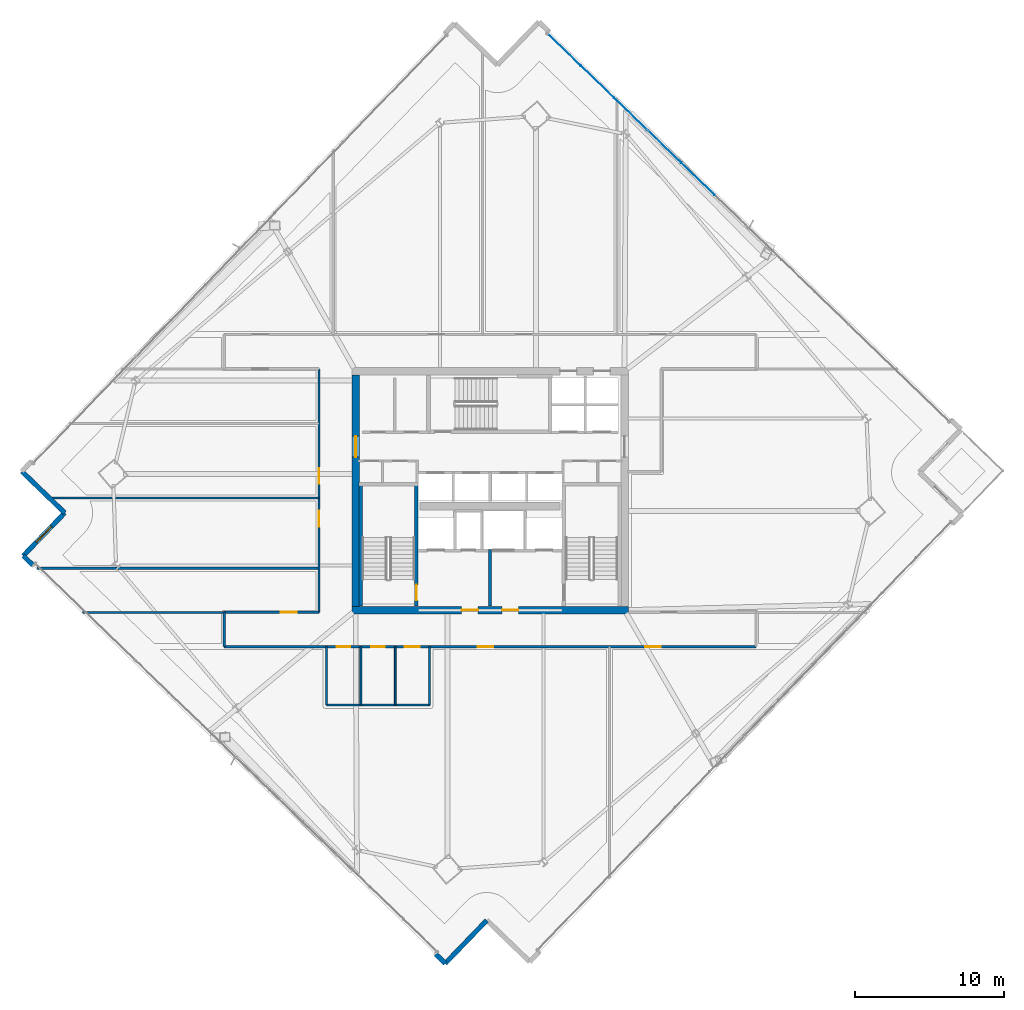
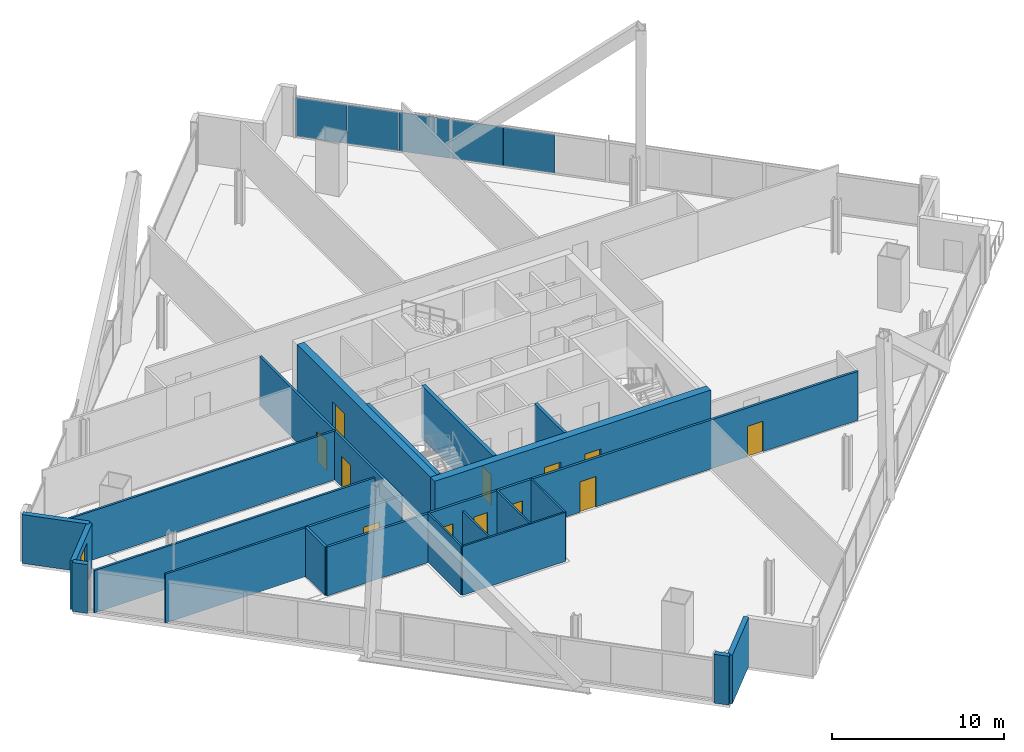
# One storey, part 25 of 33: 22 walls, 12 doors, 5 plates, 1 window, 13 openings, 1 element without a shape of its own.
"""IFC4 building model written with IfcOpenShell, lengths in metres."""

import ifcopenshell
import ifcopenshell.guid

model = None  # the IFC model being written
_history = None  # IfcOwnerHistory: only IFC2X3 demands one
_inside = {}  # id of a spatial element -> (the spatial element, [elements in it])
_under = {}  # id of a project, library or spatial element -> (it, [spatial elements below it])
_declared = {}  # id of a project -> (the project, [libraries it declares])
_typed = {}  # id of a type object -> (the type object, [elements of that type])
_made_of = {}  # id of a material, layer set ... -> (it, [elements and type objects made of it])


def new_model(schema):
    """Start an empty IFC model of exactly this schema.

    Asked for "IFC4X3", IfcOpenShell would pick the latest addendum, in which some entities
    have other attributes; the version numbers below select the first issue.
    IFC2X3 requires an IfcOwnerHistory on every rooted entity: one is made here for all.
    """
    global model, _history
    if schema == "IFC4X3":
        model = ifcopenshell.file(schema_version=(4, 3, 0, 0))
    else:
        model = ifcopenshell.file(schema=schema)
    _inside.clear()
    _under.clear()
    _declared.clear()
    _typed.clear()
    _made_of.clear()
    _history = None
    if model.schema == "IFC2X3":
        org = make("IfcOrganization", Name="unknown")
        user = make(
            "IfcPersonAndOrganization",
            ThePerson=make("IfcPerson", FamilyName="unknown"),
            TheOrganization=org,
        )
        app = make(
            "IfcApplication",
            ApplicationDeveloper=org,
            Version="unknown",
            ApplicationFullName="unknown",
            ApplicationIdentifier="unknown",
        )
        _history = make(
            "IfcOwnerHistory",
            OwningUser=user,
            OwningApplication=app,
            ChangeAction="ADDED",
            CreationDate=0,
        )
    return model


def make(cls, **values):
    """One entity of the class cls with the attributes given. An attribute that is None is left unset."""
    return model.create_entity(
        cls, **{name: value for name, value in values.items() if value is not None}
    )


def rooted(cls, **values):
    """An entity with a GlobalId (a new one), such as an element, a storey or a relation."""
    return make(cls, GlobalId=ifcopenshell.guid.new(), OwnerHistory=_history, **values)


def si_unit(unit_type, name, prefix=None):
    """IfcSIUnit, for example si_unit("LENGTHUNIT", "METRE", prefix="MILLI")."""
    return make("IfcSIUnit", UnitType=unit_type, Prefix=prefix, Name=name)


def assignment(units):
    """IfcUnitAssignment: the units of a project."""
    return None if units is None else make("IfcUnitAssignment", Units=units)


def point(xyz):
    """IfcCartesianPoint."""
    return None if xyz is None else make("IfcCartesianPoint", Coordinates=xyz)


def direction(xyz):
    """IfcDirection."""
    return None if xyz is None else make("IfcDirection", DirectionRatios=xyz)


def frame(location, z_axis=None, x_axis=None):
    """IfcAxis2Placement3D, a coordinate frame: its origin and axes. An axis left out is left unset."""
    return make(
        "IfcAxis2Placement3D",
        Location=point(location),
        Axis=direction(z_axis),
        RefDirection=direction(x_axis),
    )


def frame_2d(location, x_axis=None):
    """IfcAxis2Placement2D, a coordinate frame in the plane: its origin and x axis."""
    return make(
        "IfcAxis2Placement2D", Location=point(location), RefDirection=direction(x_axis)
    )


def origin():
    """The frame at (0, 0, 0) with its axes left unset."""
    return frame((0.0, 0.0, 0.0))


def origin_2d():
    """The frame at (0, 0) in the plane with its x axis left unset."""
    return frame_2d((0.0, 0.0))


def place(relative_to, where):
    """IfcLocalPlacement: puts the frame where relative to a parent placement (None: the world)."""
    return make(
        "IfcLocalPlacement", PlacementRelTo=relative_to, RelativePlacement=where
    )


def context(
    kind, dimensions, precision=None, world=None, true_north=None, identifier=None
):
    """IfcGeometricRepresentationContext, for example the 3D "Model" context."""
    return make(
        "IfcGeometricRepresentationContext",
        ContextIdentifier=identifier,
        ContextType=kind,
        CoordinateSpaceDimension=dimensions,
        Precision=precision,
        WorldCoordinateSystem=world,
        TrueNorth=true_north,
    )


def subcontext(parent, identifier, kind, view, scale=None):
    """IfcGeometricRepresentationSubContext, for example "Body" below "Model"."""
    return make(
        "IfcGeometricRepresentationSubContext",
        ContextIdentifier=identifier,
        ContextType=kind,
        ParentContext=parent,
        TargetScale=scale,
        TargetView=view,
    )


def project(units=None, contexts=None):
    """IfcProject with its units and contexts."""
    return rooted(
        "IfcProject",
        Name="project",
        RepresentationContexts=contexts,
        UnitsInContext=assignment(units),
    )


def spatial(cls, under=None, at=None, **own):
    """A site, building, storey or space (cls), placed at a placement, below another one or the project."""
    s = rooted(cls, ObjectPlacement=at, **own)
    if under is not None:
        _under.setdefault(under.id(), (under, []))[1].append(s)
    return s


def profile(cls, at=None, kind="AREA", **sizes):
    """A parametric profile (cls). Its sizes go by their IFC names, for example OverallWidth=200.0."""
    return make(cls, ProfileType=kind, Position=at, **sizes)


def rectangle(**sizes):
    """IfcRectangleProfileDef."""
    return profile("IfcRectangleProfileDef", **sizes)


def extrude(swept, where, along, depth):
    """IfcExtrudedAreaSolid: the profile swept, set in the frame where, extruded along a direction by depth."""
    return make(
        "IfcExtrudedAreaSolid",
        SweptArea=swept,
        Position=where,
        ExtrudedDirection=direction(along),
        Depth=depth,
    )


def shape(context_of_items, identifier, shape_type, items):
    """IfcShapeRepresentation: the items that make up one representation, for example the "Body"."""
    return make(
        "IfcShapeRepresentation",
        ContextOfItems=context_of_items,
        RepresentationIdentifier=identifier,
        RepresentationType=shape_type,
        Items=items,
    )


def source(mapping_origin, context_of_items, identifier, shape_type, items):
    """IfcRepresentationMap: a shape defined once, which mapped items show again and again."""
    return make(
        "IfcRepresentationMap",
        MappingOrigin=mapping_origin,
        MappedRepresentation=shape(context_of_items, identifier, shape_type, items),
    )


def transform(
    local_origin,
    x_axis=None,
    y_axis=None,
    z_axis=None,
    scale=None,
    scale2=None,
    scale3=None,
    uniform=True,
):
    """IfcCartesianTransformationOperator3D, or its non-uniform kind. x_axis, y_axis, z_axis: its Axis1, 2, 3."""
    if uniform:
        return make(
            "IfcCartesianTransformationOperator3D",
            Axis1=direction(x_axis),
            Axis2=direction(y_axis),
            LocalOrigin=point(local_origin),
            Scale=scale,
            Axis3=direction(z_axis),
        )
    return make(
        "IfcCartesianTransformationOperator3DnonUniform",
        Axis1=direction(x_axis),
        Axis2=direction(y_axis),
        LocalOrigin=point(local_origin),
        Scale=scale,
        Axis3=direction(z_axis),
        Scale2=scale2,
        Scale3=scale3,
    )


def mapped(mapping_source, mapping_target):
    """IfcMappedItem: shows the shape of a source again, moved by a transform."""
    return make(
        "IfcMappedItem", MappingSource=mapping_source, MappingTarget=mapping_target
    )


def material(Name=None, Category=None):
    """IfcMaterial."""
    return make("IfcMaterial", Name=Name, Category=Category)


def layer(
    of_material, thickness, ventilated=None, Name=None, Category=None, Priority=None
):
    """IfcMaterialLayer: one layer of a wall or slab, of a material (None: an air gap)."""
    return make(
        "IfcMaterialLayer",
        Material=of_material,
        LayerThickness=thickness,
        IsVentilated=ventilated,
        Name=Name,
        Category=Category,
        Priority=Priority,
    )


def layer_set(layers, Name=None):
    """IfcMaterialLayerSet."""
    return make("IfcMaterialLayerSet", MaterialLayers=layers, LayerSetName=Name)


def made_of(thing, what):
    """Note that an element or type object is made of a material, layer set ...; save() writes the relation."""
    if what is not None:
        _made_of.setdefault(what.id(), (what, []))[1].append(thing)
    return thing


def type_object(cls, material=None, **own):
    """A type object (cls), such as IfcWallType, which elements share."""
    return made_of(rooted(cls, **own), material)


def element(
    cls,
    number,
    at=None,
    inside=None,
    cuts=None,
    type_object=None,
    material=None,
    context=None,
    identifier="Body",
    shape_type=None,
    held_by="IfcProductDefinitionShape",
    body=None,
    shapes=None,
    **own,
):
    """One element of the class cls, such as IfcWall. Its Tag is "e" and its number.

    at: its placement. inside: the storey or other place that contains it. cuts: it is an
    opening in that element (IfcRelVoidsElement). A single representation is given by context,
    identifier, shape_type and body (its items); several are given by shapes. held_by: the class
    of the entity that holds the representations. save() writes the other relations.
    """
    e = rooted(cls, Tag="e%d" % number, ObjectPlacement=at, **own)
    if body is not None:
        shapes = [shape(context, identifier, shape_type, body)]
    if shapes is not None:
        e.Representation = make(held_by, Representations=shapes)
    if inside is not None:
        _inside.setdefault(inside.id(), (inside, []))[1].append(e)
    if cuts is not None:
        rooted(
            "IfcRelVoidsElement", RelatingBuildingElement=cuts, RelatedOpeningElement=e
        )
    if type_object is not None:
        _typed.setdefault(type_object.id(), (type_object, []))[1].append(e)
    return made_of(e, material)


def fill(opening, filler):
    """IfcRelFillsElement: the door or window that sits in an opening."""
    return rooted(
        "IfcRelFillsElement",
        RelatingOpeningElement=opening,
        RelatedBuildingElement=filler,
    )


def aggregate(whole, parts):
    """IfcRelAggregates: a whole, such as a stair, and the parts it consists of."""
    return rooted("IfcRelAggregates", RelatingObject=whole, RelatedObjects=parts)


def save(model, path):
    """Write the relations noted so far, then the file.

    IfcRelAggregates (storeys below a building ...), IfcRelContainedInSpatialStructure (elements
    in a storey), IfcRelDefinesByType, IfcRelAssociatesMaterial and IfcRelDeclares: one each for
    every whole, place, type object, material and project.
    """
    for whole, parts in _under.values():
        aggregate(whole, parts)
    for where, things in _inside.values():
        rooted(
            "IfcRelContainedInSpatialStructure",
            RelatedElements=things,
            RelatingStructure=where,
        )
    for kind, things in _typed.values():
        rooted("IfcRelDefinesByType", RelatedObjects=things, RelatingType=kind)
    for what, things in _made_of.values():
        rooted("IfcRelAssociatesMaterial", RelatedObjects=things, RelatingMaterial=what)
    for by, libraries in _declared.values():
        rooted("IfcRelDeclares", RelatingContext=by, RelatedDefinitions=libraries)
    model.write(path)


model = new_model("IFC4")

# Units and contexts
model_context = context("Model", 3, precision=1e-05, world=origin(), true_north=direction((0.0, 1.0)))
body_context = subcontext(model_context, "Body", "Model", "MODEL_VIEW")
ifc_project = project(units=[si_unit("LENGTHUNIT", "METRE"), si_unit("AREAUNIT", "SQUARE_METRE"), si_unit("VOLUMEUNIT", "CUBIC_METRE"), si_unit("PLANEANGLEUNIT", "RADIAN"), si_unit("MASSUNIT", "GRAM", prefix="KILO")], contexts=[model_context])

# Site, building, storey
site_placement = place(None, origin())
site = spatial("IfcSite", under=ifc_project, at=site_placement, CompositionType="ELEMENT")
building_placement = place(site_placement, origin())
building = spatial("IfcBuilding", under=site, at=building_placement, Name="Haldenkirk Collegiate Tower", CompositionType="ELEMENT")
storey_placement = place(building_placement, frame((0.0, 0.0, 181.949951171875)))
storey = spatial("IfcBuildingStorey", under=building, at=storey_placement, Name="L45", CompositionType="ELEMENT", Elevation=181.949951171875)

# Curtain wall, plates
ifc_material_1 = material(Name="Anodised architectural bronze aluminium", Category="aluminium")
curtain_wall_type = type_object("IfcCurtainWallType", Name="CW-SYS1-CONVEX-LOW", PredefinedType="USERDEFINED", material=ifc_material_1)
curtain_wall_placement = place(storey_placement, origin())
curtain_wall = element("IfcCurtainWall", 1, at=curtain_wall_placement, inside=storey, type_object=curtain_wall_type, Name="L45 Lower tower convex bronze-framed unitised curtain wall", ObjectType="UNITISED CURTAIN WALL", PredefinedType="USERDEFINED")
ifc_material_2 = material(Name="Bronze-anodised insulated aluminium spandrel panel", Category="aluminium")
ifc_layer_1 = layer(ifc_material_2, 0.0439453125)
ifc_layer_set_1 = layer_set([ifc_layer_1], Name="Bronze-anodised insulated aluminium spandrel panel")
plate_type_1 = type_object("IfcPlateType", Name="CW-SPD-1A", PredefinedType="CURTAIN_PANEL", material=ifc_layer_set_1)
shared_shape_1 = source(origin(), body_context, "Body", "SweptSolid", [
    extrude(rectangle(XDim=3.083740234375, YDim=0.0439453125, at=origin_2d()), origin(), (0.0, 0.0, 1.0), 2.7509765625),
])
plate_1_placement = place(storey_placement, frame((47.670654296875, 49.025146484375, 0.080078125), z_axis=(0.0, 0.0, 1.0), x_axis=(0.719340627176, -0.694657514243, 0.0)))
plate_1 = element("IfcPlate", 2, at=plate_1_placement, type_object=plate_type_1, Name="CW-1A spandrel panel 2.1a", PredefinedType="CURTAIN_PANEL", context=body_context, shape_type="MappedRepresentation", body=[
    mapped(shared_shape_1, transform((0.0, 0.0, 0.0), x_axis=(1.0, 0.0, 0.0), y_axis=(0.0, 1.0, 0.0), z_axis=(0.0, 0.0, 1.0), scale=1.0)),
])
ifc_material_3 = material(Name="Low-E argon triple insulating glass", Category="glass")
ifc_layer_2 = layer(ifc_material_3, 0.0439453125)
ifc_layer_set_2 = layer_set([ifc_layer_2], Name="Low-E argon triple insulating glass")
plate_type_2 = type_object("IfcPlateType", Name="CW-PNL-1A", PredefinedType="CURTAIN_PANEL", material=ifc_layer_set_2)
shared_shape_2 = source(origin(), body_context, "Body", "SweptSolid", [
    extrude(rectangle(XDim=3.0712890625, YDim=0.0439453125, at=origin_2d()), origin(), (0.0, 0.0, 1.0), 2.7509765625),
])
plate_2_placement = place(storey_placement, frame((49.902587890625, 46.869873046875, 0.080078125), z_axis=(0.0, 0.0, 1.0), x_axis=(0.719340627176, -0.694657514243, 0.0)))
plate_2 = element("IfcPlate", 3, at=plate_2_placement, type_object=plate_type_2, Name="CW-1A panel 2.1b", PredefinedType="CURTAIN_PANEL", context=body_context, shape_type="MappedRepresentation", body=[
    mapped(shared_shape_2, transform((0.0, 0.0, 0.0), x_axis=(1.0, 0.0, 0.0), y_axis=(0.0, 1.0, 0.0), z_axis=(0.0, 0.0, 1.0), scale=1.0)),
])
shared_shape_3 = source(origin(), body_context, "Body", "SweptSolid", [
    extrude(rectangle(XDim=3.0703125, YDim=0.0439453125, at=origin_2d()), origin(), (0.0, 0.0, 1.0), 2.7509765625),
])
plate_3_placement = place(storey_placement, frame((40.955322265625, 55.510009765625, 0.080078125), z_axis=(0.0, 0.0, 1.0), x_axis=(0.719340627176, -0.694657514243, 0.0)))
plate_3 = element("IfcPlate", 4, at=plate_3_placement, type_object=plate_type_2, Name="CW-1A panel 1.1a", PredefinedType="CURTAIN_PANEL", context=body_context, shape_type="MappedRepresentation", body=[
    mapped(shared_shape_3, transform((0.0, 0.0, 0.0), x_axis=(1.0, 0.0, 0.0), y_axis=(0.0, 1.0, 0.0), z_axis=(0.0, 0.0, 1.0), scale=1.0)),
])
plate_4_placement = place(storey_placement, frame((45.399658203125, 51.21826171875, 0.080078125), z_axis=(0.0, 0.0, 1.0), x_axis=(0.719340627176, -0.694657514243, 0.0)))
plate_4 = element("IfcPlate", 5, at=plate_4_placement, type_object=plate_type_1, Name="CW-1A spandrel panel 1.1c", PredefinedType="CURTAIN_PANEL", context=body_context, shape_type="MappedRepresentation", body=[
    mapped(shared_shape_3, transform((0.0, 0.0, 0.0), x_axis=(1.0, 0.0, 0.0), y_axis=(0.0, 1.0, 0.0), z_axis=(0.0, 0.0, 1.0), scale=1.0)),
])
shared_shape_4 = source(origin(), body_context, "Body", "SweptSolid", [
    extrude(rectangle(XDim=3.057861328125, YDim=0.0439453125, at=origin_2d()), origin(), (0.0, 0.0, 1.0), 2.7509765625),
])
plate_5_placement = place(storey_placement, frame((43.177490234375, 53.364013671875, 0.080078125), z_axis=(0.0, 0.0, 1.0), x_axis=(0.719340627176, -0.694657514243, 0.0)))
plate_5 = element("IfcPlate", 6, at=plate_5_placement, type_object=plate_type_2, Name="CW-1A panel 1.1b", PredefinedType="CURTAIN_PANEL", context=body_context, shape_type="MappedRepresentation", body=[
    mapped(shared_shape_4, transform((0.0, 0.0, 0.0), x_axis=(1.0, 0.0, 0.0), y_axis=(0.0, 1.0, 0.0), z_axis=(0.0, 0.0, 1.0), scale=1.0)),
])
aggregate(curtain_wall, [plate_3, plate_5, plate_4, plate_1, plate_2])

# Wall, openings, doors
ifc_material_4 = material(Name="Concrete f'c 55 MPa", Category="concrete")
ifc_layer_3 = layer(ifc_material_4, 0.5)
ifc_layer_set_3 = layer_set([ifc_layer_3], Name="Concrete f'c 55 MPa")
wall_type_1 = type_object("IfcWallType", Name="WL-CORE-500", PredefinedType="SHEAR", material=ifc_layer_set_3)
wall_1_placement = place(storey_placement, frame((26.75, 18.0, 0.0), z_axis=(0.0, 0.0, 1.0), x_axis=(1.0, 0.0, 0.0)))
wall_1 = element("IfcWall", 7, at=wall_1_placement, inside=storey, type_object=wall_type_1, Name="L45 central core shear wall S", PredefinedType="SHEAR", context=body_context, shape_type="SweptSolid", body=[
    extrude(rectangle(XDim=18.5, YDim=0.5, at=frame_2d((9.25, 0.0))), origin(), (0.0, 0.0, 1.0), 3.75),
])
opening_1_placement = place(wall_1_placement, frame((7.35009765625, 0.0, 0.0)))
opening_1 = element("IfcOpeningElement", 8, at=opening_1_placement, cuts=wall_1, Name="Opening D-02", PredefinedType="OPENING", context=body_context, shape_type="SweptSolid", body=[
    extrude(rectangle(XDim=1.10009765625, YDim=2.14990234375, at=frame_2d((0.550048828125, 1.074951171875))), frame((0.0, 0.260009765625, 0.0), z_axis=(0.0, -1.0, 0.0), x_axis=(1.0, 0.0, 0.0)), (0.0, 0.0, 1.0), 0.52001953125),
])
opening_2_placement = place(wall_1_placement, frame((10.050048828125, 0.0, 0.0)))
opening_2 = element("IfcOpeningElement", 9, at=opening_2_placement, cuts=wall_1, Name="Opening D-02", PredefinedType="OPENING", context=body_context, shape_type="SweptSolid", body=[
    extrude(rectangle(XDim=1.10009765625, YDim=2.14990234375, at=frame_2d((0.550048828125, 1.074951171875))), frame((0.0, 0.260009765625, 0.0), z_axis=(0.0, -1.0, 0.0), x_axis=(1.0, 0.0, 0.0)), (0.0, 0.0, 1.0), 0.52001953125),
])
ifc_material_5 = material(Name="Galvanized fire-rated hollow steel door", Category="steel")
ifc_layer_4 = layer(ifc_material_5, 0.06005859375)
ifc_layer_set_4 = layer_set([ifc_layer_4], Name="Galvanized fire-rated hollow steel door")
door_type_1 = type_object("IfcDoorType", Name="DR-STAIR-FD90-1100", OperationType="NOTDEFINED", PredefinedType="DOOR", material=ifc_layer_set_4)
door_1_placement = place(opening_1_placement, origin())
door_1 = element("IfcDoor", 10, at=door_1_placement, inside=storey, type_object=door_type_1, Name="L45 Firefighting Lobby 1 door", OperationType="SINGLE_SWING_RIGHT", OverallHeight=2.14990234375, OverallWidth=1.10009765625, PredefinedType="DOOR", context=body_context, shape_type="SweptSolid", body=[
    extrude(rectangle(XDim=1.10009765625, YDim=2.14990234375, at=frame_2d((0.550048828125, 1.074951171875))), frame((0.0, 0.02490234375, 0.0), z_axis=(0.0, -1.0, 0.0), x_axis=(1.0, 0.0, 0.0)), (0.0, 0.0, 1.0), 0.050048828125),
])
fill(opening_1, door_1)
door_2_placement = place(opening_2_placement, origin())
door_2 = element("IfcDoor", 11, at=door_2_placement, inside=storey, type_object=door_type_1, Name="L45 Firefighting Lobby 2 door", OperationType="SINGLE_SWING_LEFT", OverallHeight=2.14990234375, OverallWidth=1.10009765625, PredefinedType="DOOR", context=body_context, shape_type="SweptSolid", body=[
    extrude(rectangle(XDim=1.10009765625, YDim=2.14990234375, at=frame_2d((0.550048828125, 1.074951171875))), frame((0.0, 0.02490234375, 0.0), z_axis=(0.0, -1.0, 0.0), x_axis=(1.0, 0.0, 0.0)), (0.0, 0.0, 1.0), 0.050048828125),
])
fill(opening_2, door_2)

# Wall, opening, door
wall_2_placement = place(storey_placement, frame((27.0, 18.25, 0.0), z_axis=(0.0, 0.0, 1.0), x_axis=(0.0, 1.0, 0.0)))
wall_2 = element("IfcWall", 12, at=wall_2_placement, inside=storey, type_object=wall_type_1, Name="L45 central core shear wall W", PredefinedType="SHEAR", context=body_context, shape_type="SweptSolid", body=[
    extrude(rectangle(XDim=15.5, YDim=0.5, at=frame_2d((7.75, 0.0))), origin(), (0.0, 0.0, 1.0), 3.75),
])
opening_3_placement = place(wall_2_placement, frame((9.989990234375, 0.0, 0.0)))
opening_3 = element("IfcOpeningElement", 13, at=opening_3_placement, cuts=wall_2, Name="Opening D-03", PredefinedType="OPENING", context=body_context, shape_type="SweptSolid", body=[
    extrude(rectangle(XDim=1.39990234375, YDim=2.199951171875, at=frame_2d((0.699951171875, 1.10009765625))), frame((0.0, 0.260009765625, 0.0), z_axis=(0.0, -1.0, 0.0), x_axis=(1.0, 0.0, 0.0)), (0.0, 0.0, 1.0), 0.52001953125),
])
ifc_layer_5 = layer(ifc_material_5, 0.06005859375)
ifc_layer_set_5 = layer_set([ifc_layer_5], Name="Galvanized fire-rated hollow steel door")
door_type_2 = type_object("IfcDoorType", Name="DR-LOBBY-FD90-1400", OperationType="NOTDEFINED", PredefinedType="DOOR", material=ifc_layer_set_5)
door_3_placement = place(opening_3_placement, origin())
door_3 = element("IfcDoor", 14, at=door_3_placement, inside=storey, type_object=door_type_2, Name="L45 west lift lobby portal", OperationType="DOUBLE_DOOR_SINGLE_SWING", OverallHeight=2.199951171875, OverallWidth=1.39990234375, PredefinedType="DOOR", context=body_context, shape_type="SweptSolid", body=[
    extrude(rectangle(XDim=1.39990234375, YDim=2.199951171875, at=frame_2d((0.699951171875, 1.10009765625))), frame((0.0, 0.02490234375, 0.0), z_axis=(0.0, -1.0, 0.0), x_axis=(1.0, 0.0, 0.0)), (0.0, 0.0, 1.0), 0.050048828125),
])
fill(opening_3, door_3)

# Wall
ifc_material_6 = material(Name="Precast concrete f'c 40 MPa", Category="concrete")
ifc_layer_6 = layer(ifc_material_6, 0.320068359375)
ifc_layer_set_6 = layer_set([ifc_layer_6], Name="Precast concrete f'c 40 MPa")
wall_type_2 = type_object("IfcWallType", Name="WL-EXT-TWR-320", PredefinedType="STANDARD", material=ifc_layer_set_6)
wall_3_placement = place(storey_placement, frame((7.525146484375, 24.512939453125, 0.0), z_axis=(0.0, 0.0, 1.0), x_axis=(-0.719328887602, 0.694669670751, 0.0)))
element("IfcWall", 15, at=wall_3_placement, inside=storey, type_object=wall_type_2, Name="L45 bronze precast notch wall 08", PredefinedType="STANDARD", context=body_context, shape_type="SweptSolid", body=[
    extrude(rectangle(XDim=3.999755859375, YDim=0.320068359375, at=frame_2d((2.0, 0.0))), origin(), (0.0, 0.0, 1.0), 3.4599609375),
])

# Wall, opening, window
wall_4_placement = place(storey_placement, frame((4.74658203125, 21.635498046875, 0.0), z_axis=(0.0, 0.0, 1.0), x_axis=(0.694639171191, 0.719358340361, 0.0)))
wall_4 = element("IfcWall", 16, at=wall_4_placement, inside=storey, type_object=wall_type_2, Name="L45 bronze precast notch wall 09", PredefinedType="STANDARD", context=body_context, shape_type="SweptSolid", body=[
    extrude(rectangle(XDim=4.0, YDim=0.320068359375, at=frame_2d((2.0, 0.0))), origin(), (0.0, 0.0, 1.0), 3.4599609375),
])
opening_4_placement = place(wall_4_placement, frame((1.27490234375, 0.0, 0.85009765625)))
opening_4 = element("IfcOpeningElement", 17, at=opening_4_placement, cuts=wall_4, Name="Opening W-05", PredefinedType="OPENING", context=body_context, shape_type="SweptSolid", body=[
    extrude(rectangle(XDim=1.449951171875, YDim=2.050048828125, at=frame_2d((0.72509765625, 1.02490234375))), frame((0.0, 0.169921875, 0.0), z_axis=(0.0, -1.0, 0.0), x_axis=(1.0, 0.0, 0.0)), (0.0, 0.0, 1.0), 0.340087890625),
])
ifc_layer_7 = layer(ifc_material_3, 0.090087890625)
ifc_layer_set_7 = layer_set([ifc_layer_7], Name="Low-E argon triple insulating glass")
window_type = type_object("IfcWindowType", Name="WN-Z3-1450X2050", PartitioningType="SINGLE_PANEL", PredefinedType="WINDOW", material=ifc_layer_set_7)
window_placement = place(opening_4_placement, origin())
window = element("IfcWindow", 18, at=window_placement, inside=storey, type_object=window_type, Name="L45 precast-frame academic window 8", OverallHeight=2.050048828125, OverallWidth=1.449951171875, PartitioningType="SINGLE_PANEL", PredefinedType="WINDOW", context=body_context, shape_type="SweptSolid", body=[
    extrude(rectangle(XDim=1.449951171875, YDim=2.050048828125, at=frame_2d((0.72509765625, 1.02490234375))), frame((0.0, 0.030029296875, 0.0), z_axis=(0.0, -1.0, 0.0), x_axis=(1.0, 0.0, 0.0)), (0.0, 0.0, 1.0), 0.06005859375),
])
fill(opening_4, window)

# Walls
for number, where, z_axis, x_axis, name in (
    (19, (32.998779296875, -5.647216796875, 0.0), (0.0, 0.0, 1.0), (-0.719340699073, 0.694657439791, 0.0), "L45 precast corner pier WL"),
    (20, (5.39404296875, 21.01025390625, 0.0), (0.0, 0.0, 1.0), (-0.719340699073, 0.694657439791, 0.0), "L45 precast corner pier WR"),
):
    element("IfcWall", number, at=place(storey_placement, frame(where, z_axis=z_axis, x_axis=x_axis)), inside=storey, type_object=wall_type_2, Name=name, PredefinedType="STANDARD", context=body_context, shape_type="SweptSolid", body=[
        extrude(rectangle(XDim=0.900146484375, YDim=0.320068359375, at=frame_2d((0.4501953125, 0.0))), origin(), (0.0, 0.0, 1.0), 3.4599609375),
    ])
wall_5_placement = place(storey_placement, frame((35.77734375, -2.769775390625, 0.0), z_axis=(0.0, 0.0, 1.0), x_axis=(-0.694639171191, -0.719358340361, 0.0)))
element("IfcWall", 21, at=wall_5_placement, inside=storey, type_object=wall_type_2, Name="L45 bronze precast notch wall 11", PredefinedType="STANDARD", context=body_context, shape_type="SweptSolid", body=[
    extrude(rectangle(XDim=4.0, YDim=0.320068359375, at=frame_2d((2.0, 0.0))), origin(), (0.0, 0.0, 1.0), 3.4599609375),
])

# Wall, openings, doors
ifc_material_7 = material(Name="Acoustic fire-rated gypsum partition", Category="concrete")
ifc_layer_8 = layer(ifc_material_7, 0.159912109375)
ifc_layer_set_8 = layer_set([ifc_layer_8], Name="Acoustic fire-rated gypsum partition")
wall_type_3 = type_object("IfcWallType", Name="WL-INT-CORR-160", PredefinedType="PARTITIONING", material=ifc_layer_set_8)
wall_6_placement = place(storey_placement, frame((18.199951171875, 15.550048828125, 0.0), z_axis=(0.0, 0.0, 1.0), x_axis=(1.0, 0.0, 0.0)))
wall_6 = element("IfcWall", 22, at=wall_6_placement, inside=storey, type_object=wall_type_3, Name="L45 interior partition IW-L45-CS", PredefinedType="PARTITIONING", context=body_context, shape_type="SweptSolid", body=[
    extrude(rectangle(XDim=35.60009765625, YDim=0.159912109375, at=frame_2d((17.800048828125, 0.0))), origin(), (0.0, 0.0, 1.0), 3.4599609375),
])
opening_5_placement = place(wall_6_placement, frame((7.550048828125, 0.0, 0.0)))
opening_5 = element("IfcOpeningElement", 23, at=opening_5_placement, cuts=wall_6, Name="Opening D-13", PredefinedType="OPENING", context=body_context, shape_type="SweptSolid", body=[
    extrude(rectangle(XDim=0.89990234375, YDim=2.14990234375, at=frame_2d((0.449951171875, 1.074951171875))), frame((0.0, 0.08984375, 0.0), z_axis=(0.0, -1.0, 0.0), x_axis=(1.0, 0.0, 0.0)), (0.0, 0.0, 1.0), 0.179931640625),
])
opening_6_placement = place(wall_6_placement, frame((9.85009765625, 0.0, 0.0)))
opening_6 = element("IfcOpeningElement", 24, at=opening_6_placement, cuts=wall_6, Name="Opening D-13", PredefinedType="OPENING", context=body_context, shape_type="SweptSolid", body=[
    extrude(rectangle(XDim=0.89990234375, YDim=2.14990234375, at=frame_2d((0.449951171875, 1.074951171875))), frame((0.0, 0.08984375, 0.0), z_axis=(0.0, -1.0, 0.0), x_axis=(1.0, 0.0, 0.0)), (0.0, 0.0, 1.0), 0.179931640625),
])
opening_7_placement = place(wall_6_placement, frame((12.10009765625, 0.0, 0.0)))
opening_7 = element("IfcOpeningElement", 25, at=opening_7_placement, cuts=wall_6, Name="Opening D-14", PredefinedType="OPENING", context=body_context, shape_type="SweptSolid", body=[
    extrude(rectangle(XDim=1.0, YDim=2.14990234375, at=frame_2d((0.5, 1.074951171875))), frame((0.0, 0.08984375, 0.0), z_axis=(0.0, -1.0, 0.0), x_axis=(1.0, 0.0, 0.0)), (0.0, 0.0, 1.0), 0.179931640625),
])
opening_8_placement = place(wall_6_placement, frame((16.97509765625, 0.0, 0.0)))
opening_8 = element("IfcOpeningElement", 26, at=opening_8_placement, cuts=wall_6, Name="Opening D-09", PredefinedType="OPENING", context=body_context, shape_type="SweptSolid", body=[
    extrude(rectangle(XDim=1.050048828125, YDim=2.14990234375, at=frame_2d((0.52490234375, 1.074951171875))), frame((0.0, 0.08984375, 0.0), z_axis=(0.0, -1.0, 0.0), x_axis=(1.0, 0.0, 0.0)), (0.0, 0.0, 1.0), 0.179931640625),
])
opening_9_placement = place(wall_6_placement, frame((28.18505859375, 0.0, 0.0)))
opening_9 = element("IfcOpeningElement", 27, at=opening_9_placement, cuts=wall_6, Name="Opening D-09", PredefinedType="OPENING", context=body_context, shape_type="SweptSolid", body=[
    extrude(rectangle(XDim=1.050048828125, YDim=2.14990234375, at=frame_2d((0.52490234375, 1.074951171875))), frame((0.0, 0.08984375, 0.0), z_axis=(0.0, -1.0, 0.0), x_axis=(1.0, 0.0, 0.0)), (0.0, 0.0, 1.0), 0.179931640625),
])
ifc_material_8 = material(Name="Solid-core architectural oak fire door", Category="wood")
ifc_layer_9 = layer(ifc_material_8, 0.06005859375)
ifc_layer_set_9 = layer_set([ifc_layer_9], Name="Solid-core architectural oak fire door")
door_type_3 = type_object("IfcDoorType", Name="DR-INT-ACC-1000", OperationType="NOTDEFINED", PredefinedType="DOOR", material=ifc_layer_set_9)
door_4_placement = place(opening_7_placement, origin())
door_4 = element("IfcDoor", 28, at=door_4_placement, inside=storey, type_object=door_type_3, Name="L45 Accessible WC door", OperationType="SINGLE_SWING_LEFT", OverallHeight=2.14990234375, OverallWidth=1.0, PredefinedType="DOOR", context=body_context, shape_type="SweptSolid", body=[
    extrude(rectangle(XDim=1.0, YDim=2.14990234375, at=frame_2d((0.5, 1.074951171875))), frame((0.0, 0.02490234375, 0.0), z_axis=(0.0, -1.0, 0.0), x_axis=(1.0, 0.0, 0.0)), (0.0, 0.0, 1.0), 0.050048828125),
])
fill(opening_7, door_4)
ifc_layer_10 = layer(ifc_material_8, 0.06005859375)
ifc_layer_set_10 = layer_set([ifc_layer_10], Name="Solid-core architectural oak fire door")
door_type_4 = type_object("IfcDoorType", Name="DR-INT-FD60-1050", OperationType="NOTDEFINED", PredefinedType="DOOR", material=ifc_layer_set_10)
door_5_placement = place(opening_8_placement, origin())
door_5 = element("IfcDoor", 29, at=door_5_placement, inside=storey, type_object=door_type_4, Name="L45 Academic Press Bookshop 1 door", OperationType="SINGLE_SWING_RIGHT", OverallHeight=2.14990234375, OverallWidth=1.050048828125, PredefinedType="DOOR", context=body_context, shape_type="SweptSolid", body=[
    extrude(rectangle(XDim=1.050048828125, YDim=2.14990234375, at=frame_2d((0.52490234375, 1.074951171875))), frame((0.0, 0.02490234375, 0.0), z_axis=(0.0, -1.0, 0.0), x_axis=(1.0, 0.0, 0.0)), (0.0, 0.0, 1.0), 0.050048828125),
])
fill(opening_8, door_5)
door_6_placement = place(opening_9_placement, origin())
door_6 = element("IfcDoor", 30, at=door_6_placement, inside=storey, type_object=door_type_4, Name="L45 Campus Print Shop 2 door", OperationType="SINGLE_SWING_LEFT", OverallHeight=2.14990234375, OverallWidth=1.050048828125, PredefinedType="DOOR", context=body_context, shape_type="SweptSolid", body=[
    extrude(rectangle(XDim=1.050048828125, YDim=2.14990234375, at=frame_2d((0.52490234375, 1.074951171875))), frame((0.0, 0.02490234375, 0.0), z_axis=(0.0, -1.0, 0.0), x_axis=(1.0, 0.0, 0.0)), (0.0, 0.0, 1.0), 0.050048828125),
])
fill(opening_9, door_6)
ifc_layer_11 = layer(ifc_material_8, 0.06005859375)
ifc_layer_set_11 = layer_set([ifc_layer_11], Name="Solid-core architectural oak fire door")
door_type_5 = type_object("IfcDoorType", Name="DR-INT-STD-900", OperationType="NOTDEFINED", PredefinedType="DOOR", material=ifc_layer_set_11)
door_7_placement = place(opening_5_placement, origin())
door_7 = element("IfcDoor", 31, at=door_7_placement, inside=storey, type_object=door_type_5, Name="L45 Male WC door", OperationType="SINGLE_SWING_LEFT", OverallHeight=2.14990234375, OverallWidth=0.89990234375, PredefinedType="DOOR", context=body_context, shape_type="SweptSolid", body=[
    extrude(rectangle(XDim=0.89990234375, YDim=2.14990234375, at=frame_2d((0.449951171875, 1.074951171875))), frame((0.0, 0.02490234375, 0.0), z_axis=(0.0, -1.0, 0.0), x_axis=(1.0, 0.0, 0.0)), (0.0, 0.0, 1.0), 0.050048828125),
])
fill(opening_5, door_7)
door_8_placement = place(opening_6_placement, origin())
door_8 = element("IfcDoor", 32, at=door_8_placement, inside=storey, type_object=door_type_5, Name="L45 Female WC door", OperationType="SINGLE_SWING_RIGHT", OverallHeight=2.14990234375, OverallWidth=0.89990234375, PredefinedType="DOOR", context=body_context, shape_type="SweptSolid", body=[
    extrude(rectangle(XDim=0.89990234375, YDim=2.14990234375, at=frame_2d((0.449951171875, 1.074951171875))), frame((0.0, 0.02490234375, 0.0), z_axis=(0.0, -1.0, 0.0), x_axis=(1.0, 0.0, 0.0)), (0.0, 0.0, 1.0), 0.050048828125),
])
fill(opening_6, door_8)

# Wall, opening, door
wall_7_placement = place(storey_placement, frame((18.199951171875, 17.85009765625, 0.0), z_axis=(0.0, 0.0, 1.0), x_axis=(1.0, 0.0, 0.0)))
wall_7 = element("IfcWall", 33, at=wall_7_placement, inside=storey, type_object=wall_type_3, Name="L45 interior partition IW-L45-CSW", PredefinedType="PARTITIONING", context=body_context, shape_type="SweptSolid", body=[
    extrude(rectangle(XDim=6.35009765625, YDim=0.159912109375, at=frame_2d((3.175048828125, 0.0))), origin(), (0.0, 0.0, 1.0), 3.4599609375),
])
opening_10_placement = place(wall_7_placement, frame((3.79296875, 0.0, 0.0)))
opening_10 = element("IfcOpeningElement", 34, at=opening_10_placement, cuts=wall_7, Name="Opening D-09", PredefinedType="OPENING", context=body_context, shape_type="SweptSolid", body=[
    extrude(rectangle(XDim=1.050048828125, YDim=2.14990234375, at=frame_2d((0.52490234375, 1.074951171875))), frame((0.0, 0.08984375, 0.0), z_axis=(0.0, -1.0, 0.0), x_axis=(1.0, 0.0, 0.0)), (0.0, 0.0, 1.0), 0.179931640625),
])
door_9_placement = place(opening_10_placement, origin())
door_9 = element("IfcDoor", 35, at=door_9_placement, inside=storey, type_object=door_type_4, Name="L45 Academic Press Bookshop 7 door", OperationType="SINGLE_SWING_RIGHT", OverallHeight=2.14990234375, OverallWidth=1.050048828125, PredefinedType="DOOR", context=body_context, shape_type="SweptSolid", body=[
    extrude(rectangle(XDim=1.050048828125, YDim=2.14990234375, at=frame_2d((0.52490234375, 1.074951171875))), frame((0.0, 0.02490234375, 0.0), z_axis=(0.0, -1.0, 0.0), x_axis=(1.0, 0.0, 0.0)), (0.0, 0.0, 1.0), 0.050048828125),
])
fill(opening_10, door_9)

# Wall, openings, doors
wall_8_placement = place(storey_placement, frame((24.550048828125, 17.85009765625, 0.0), z_axis=(0.0, 0.0, 1.0), x_axis=(0.0, 1.0, 0.0)))
wall_8 = element("IfcWall", 36, at=wall_8_placement, inside=storey, type_object=wall_type_3, Name="L45 interior partition IW-L45-CW", PredefinedType="PARTITIONING", context=body_context, shape_type="SweptSolid", body=[
    extrude(rectangle(XDim=16.2998046875, YDim=0.159912109375, at=frame_2d((8.14990234375, 0.0))), origin(), (0.0, 0.0, 1.0), 3.4599609375),
])
opening_11_placement = place(wall_8_placement, frame((5.740966796875, 0.0, 0.0)))
opening_11 = element("IfcOpeningElement", 37, at=opening_11_placement, cuts=wall_8, Name="Opening D-09", PredefinedType="OPENING", context=body_context, shape_type="SweptSolid", body=[
    extrude(rectangle(XDim=1.050048828125, YDim=2.14990234375, at=frame_2d((0.52490234375, 1.074951171875))), frame((0.0, 0.08984375, 0.0), z_axis=(0.0, -1.0, 0.0), x_axis=(1.0, 0.0, 0.0)), (0.0, 0.0, 1.0), 0.179931640625),
])
opening_12_placement = place(wall_8_placement, frame((8.60498046875, 0.0, 0.0)))
opening_12 = element("IfcOpeningElement", 38, at=opening_12_placement, cuts=wall_8, Name="Opening D-09", PredefinedType="OPENING", context=body_context, shape_type="SweptSolid", body=[
    extrude(rectangle(XDim=1.050048828125, YDim=2.14990234375, at=frame_2d((0.52490234375, 1.074951171875))), frame((0.0, 0.08984375, 0.0), z_axis=(0.0, -1.0, 0.0), x_axis=(1.0, 0.0, 0.0)), (0.0, 0.0, 1.0), 0.179931640625),
])
door_10_placement = place(opening_11_placement, origin())
door_10 = element("IfcDoor", 39, at=door_10_placement, inside=storey, type_object=door_type_4, Name="L45 Campus Print Shop 8 door", OperationType="SINGLE_SWING_LEFT", OverallHeight=2.14990234375, OverallWidth=1.050048828125, PredefinedType="DOOR", context=body_context, shape_type="SweptSolid", body=[
    extrude(rectangle(XDim=1.050048828125, YDim=2.14990234375, at=frame_2d((0.52490234375, 1.074951171875))), frame((0.0, 0.02490234375, 0.0), z_axis=(0.0, -1.0, 0.0), x_axis=(1.0, 0.0, 0.0)), (0.0, 0.0, 1.0), 0.050048828125),
])
fill(opening_11, door_10)
door_11_placement = place(opening_12_placement, origin())
door_11 = element("IfcDoor", 40, at=door_11_placement, inside=storey, type_object=door_type_4, Name="L45 Hospitality Tea Kitchen 9 door", OperationType="SINGLE_SWING_RIGHT", OverallHeight=2.14990234375, OverallWidth=1.050048828125, PredefinedType="DOOR", context=body_context, shape_type="SweptSolid", body=[
    extrude(rectangle(XDim=1.050048828125, YDim=2.14990234375, at=frame_2d((0.52490234375, 1.074951171875))), frame((0.0, 0.02490234375, 0.0), z_axis=(0.0, -1.0, 0.0), x_axis=(1.0, 0.0, 0.0)), (0.0, 0.0, 1.0), 0.050048828125),
])
fill(opening_12, door_11)

# Walls
wall_9_placement = place(storey_placement, frame((18.199951171875, 15.550048828125, 0.0), z_axis=(0.0, 0.0, 1.0), x_axis=(0.0, 1.0, 0.0)))
element("IfcWall", 41, at=wall_9_placement, inside=storey, type_object=wall_type_3, Name="L45 interior partition IW-L45-CSL", PredefinedType="PARTITIONING", context=body_context, shape_type="SweptSolid", body=[
    extrude(rectangle(XDim=2.300048828125, YDim=0.159912109375, at=frame_2d((1.14990234375, 0.0))), origin(), (0.0, 0.0, 1.0), 3.4599609375),
])
ifc_layer_12 = layer(ifc_material_7, 0.139892578125)
ifc_layer_set_12 = layer_set([ifc_layer_12], Name="Acoustic fire-rated gypsum partition")
wall_type_4 = type_object("IfcWallType", Name="WL-INT-DIV-140", PredefinedType="PARTITIONING", material=ifc_layer_set_12)
wall_10_placement = place(storey_placement, frame((8.72412109375, 17.85009765625, 0.0), z_axis=(0.0, 0.0, 1.0), x_axis=(1.0, 0.0, 0.0)))
element("IfcWall", 42, at=wall_10_placement, inside=storey, type_object=wall_type_4, Name="L45 interior partition IW-L45-BWS", PredefinedType="PARTITIONING", context=body_context, shape_type="SweptSolid", body=[
    extrude(rectangle(XDim=9.475830078125, YDim=0.139892578125, at=frame_2d((4.73779296875, 0.0))), origin(), (0.0, 0.0, 1.0), 3.4599609375),
])
wall_11_placement = place(storey_placement, frame((5.66943359375, 20.800048828125, 0.0), z_axis=(0.0, 0.0, 1.0), x_axis=(1.0, 0.0, 0.0)))
element("IfcWall", 43, at=wall_11_placement, inside=storey, type_object=wall_type_4, Name="L45 interior partition IW-L45-RW1", PredefinedType="PARTITIONING", context=body_context, shape_type="SweptSolid", body=[
    extrude(rectangle(XDim=18.880615234375, YDim=0.139892578125, at=frame_2d((9.4404296875, 0.0))), origin(), (0.0, 0.0, 1.0), 2.998046875),
])
wall_12_placement = place(storey_placement, frame((6.560546875, 25.5, 0.0), z_axis=(0.0, 0.0, 1.0), x_axis=(1.0, 0.0, 0.0)))
element("IfcWall", 44, at=wall_12_placement, inside=storey, type_object=wall_type_4, Name="L45 interior partition IW-L45-RW2", PredefinedType="PARTITIONING", context=body_context, shape_type="SweptSolid", body=[
    extrude(rectangle(XDim=17.989501953125, YDim=0.139892578125, at=frame_2d((8.99462890625, 0.0))), origin(), (0.0, 0.0, 1.0), 3.4599609375),
])
ifc_material_9 = material(Name="Fire-rated gypsum shaftboard assembly", Category="concrete")
ifc_layer_13 = layer(ifc_material_9, 0.199951171875)
ifc_layer_set_13 = layer_set([ifc_layer_13], Name="Fire-rated gypsum shaftboard assembly")
wall_type_5 = type_object("IfcWallType", Name="WL-INT-SHAFT-200", PredefinedType="PARTITIONING", material=ifc_layer_set_13)
wall_13_placement = place(storey_placement, frame((36.0, 18.280029296875, 0.0), z_axis=(0.0, 0.0, 1.0), x_axis=(0.0, 1.0, 0.0)))
element("IfcWall", 45, at=wall_13_placement, inside=storey, type_object=wall_type_5, Name="L45 interior partition IW-L45-FFLM", PredefinedType="PARTITIONING", context=body_context, shape_type="SweptSolid", body=[
    extrude(rectangle(XDim=3.77001953125, YDim=0.199951171875, at=frame_2d((1.885009765625, 0.0))), origin(), (0.0, 0.0, 1.0), 3.4599609375),
])
ifc_layer_14 = layer(ifc_material_7, 0.1201171875)
ifc_layer_set_14 = layer_set([ifc_layer_14], Name="Acoustic fire-rated gypsum partition")
wall_type_6 = type_object("IfcWallType", Name="WL-INT-WET-120", PredefinedType="PARTITIONING", material=ifc_layer_set_14)
wall_14_placement = place(storey_placement, frame((25.050048828125, 11.64990234375, 0.0), z_axis=(0.0, 0.0, 1.0), x_axis=(0.0, 1.0, 0.0)))
element("IfcWall", 46, at=wall_14_placement, inside=storey, type_object=wall_type_6, Name="L45 interior partition IW-L45-WCW", PredefinedType="PARTITIONING", context=body_context, shape_type="SweptSolid", body=[
    extrude(rectangle(XDim=3.900146484375, YDim=0.1201171875, at=frame_2d((1.9501953125, 0.0))), origin(), (0.0, 0.0, 1.0), 3.4599609375),
])
wall_15_placement = place(storey_placement, frame((27.35009765625, 11.64990234375, 0.0), z_axis=(0.0, 0.0, 1.0), x_axis=(0.0, 1.0, 0.0)))
element("IfcWall", 47, at=wall_15_placement, inside=storey, type_object=wall_type_6, Name="L45 interior partition IW-L45-WC1", PredefinedType="PARTITIONING", context=body_context, shape_type="SweptSolid", body=[
    extrude(rectangle(XDim=3.900146484375, YDim=0.1201171875, at=frame_2d((1.9501953125, 0.0))), origin(), (0.0, 0.0, 1.0), 2.839111328125),
])
for number, where, z_axis, x_axis, name in (
    (48, (29.64990234375, 11.64990234375, 0.0), (0.0, 0.0, 1.0), (0.0, 1.0, 0.0), "L45 interior partition IW-L45-WC2"),
    (49, (31.949951171875, 11.64990234375, 0.0), (0.0, 0.0, 1.0), (0.0, 1.0, 0.0), "L45 interior partition IW-L45-WCE"),
):
    element("IfcWall", number, at=place(storey_placement, frame(where, z_axis=z_axis, x_axis=x_axis)), inside=storey, type_object=wall_type_6, Name=name, PredefinedType="PARTITIONING", context=body_context, shape_type="SweptSolid", body=[
        extrude(rectangle(XDim=3.900146484375, YDim=0.1201171875, at=frame_2d((1.9501953125, 0.0))), origin(), (0.0, 0.0, 1.0), 3.4599609375),
    ])
wall_16_placement = place(storey_placement, frame((25.050048828125, 11.64990234375, 0.0), z_axis=(0.0, 0.0, 1.0), x_axis=(1.0, 0.0, 0.0)))
element("IfcWall", 50, at=wall_16_placement, inside=storey, type_object=wall_type_6, Name="L45 interior partition IW-L45-WCB", PredefinedType="PARTITIONING", context=body_context, shape_type="SweptSolid", body=[
    extrude(rectangle(XDim=6.89990234375, YDim=0.1201171875, at=frame_2d((3.449951171875, 0.0))), origin(), (0.0, 0.0, 1.0), 3.4599609375),
])

# Wall, opening, door
ifc_layer_15 = layer(ifc_material_4, 0.239990234375)
ifc_layer_set_15 = layer_set([ifc_layer_15], Name="Concrete f'c 55 MPa")
wall_type_7 = type_object("IfcWallType", Name="WL-SHAFT-240", PredefinedType="SHEAR", material=ifc_layer_set_15)
wall_17_placement = place(storey_placement, frame((31.070068359375, 18.280029296875, 0.0), z_axis=(0.0, 0.0, 1.0), x_axis=(0.0, 1.0, 0.0)))
wall_17 = element("IfcWall", 51, at=wall_17_placement, inside=storey, type_object=wall_type_7, Name="L45 stair shaft shear wall SW-L45-ST1E", PredefinedType="SHEAR", context=body_context, shape_type="SweptSolid", body=[
    extrude(rectangle(XDim=8.260009765625, YDim=0.239990234375, at=frame_2d((4.1298828125, 0.0))), origin(), (0.0, 0.0, 1.0), 3.75),
])
opening_13_placement = place(wall_17_placement, frame((0.364990234375, 0.0, 0.0)))
opening_13 = element("IfcOpeningElement", 52, at=opening_13_placement, cuts=wall_17, Name="Opening D-01", PredefinedType="OPENING", context=body_context, shape_type="SweptSolid", body=[
    extrude(rectangle(XDim=1.050048828125, YDim=2.14990234375, at=frame_2d((0.52490234375, 1.074951171875))), frame((0.0, 0.1298828125, 0.0), z_axis=(0.0, -1.0, 0.0), x_axis=(1.0, 0.0, 0.0)), (0.0, 0.0, 1.0), 0.260009765625),
])
ifc_layer_16 = layer(ifc_material_5, 0.06005859375)
ifc_layer_set_16 = layer_set([ifc_layer_16], Name="Galvanized fire-rated hollow steel door")
door_type_6 = type_object("IfcDoorType", Name="DR-STAIR-FD90-1050", OperationType="NOTDEFINED", PredefinedType="DOOR", material=ifc_layer_set_16)
door_12_placement = place(opening_13_placement, origin())
door_12 = element("IfcDoor", 53, at=door_12_placement, inside=storey, type_object=door_type_6, Name="L45 Stair 1 door", OperationType="SINGLE_SWING_LEFT", OverallHeight=2.14990234375, OverallWidth=1.050048828125, PredefinedType="DOOR", context=body_context, shape_type="SweptSolid", body=[
    extrude(rectangle(XDim=1.050048828125, YDim=2.14990234375, at=frame_2d((0.52490234375, 1.074951171875))), frame((0.0, 0.02490234375, 0.0), z_axis=(0.0, -1.0, 0.0), x_axis=(1.0, 0.0, 0.0)), (0.0, 0.0, 1.0), 0.050048828125),
])
fill(opening_13, door_12)

# Wall
wall_18_placement = place(storey_placement, frame((27.330078125, 18.280029296875, 0.0), z_axis=(0.0, 0.0, 1.0), x_axis=(0.0, 1.0, 0.0)))
element("IfcWall", 54, at=wall_18_placement, inside=storey, type_object=wall_type_7, Name="L45 stair shaft shear wall SW-L45-ST1W", PredefinedType="SHEAR", context=body_context, shape_type="SweptSolid", body=[
    extrude(rectangle(XDim=8.260009765625, YDim=0.239990234375, at=frame_2d((4.1298828125, 0.0))), origin(), (0.0, 0.0, 1.0), 3.75),
])

save(model, "model.ifc")
